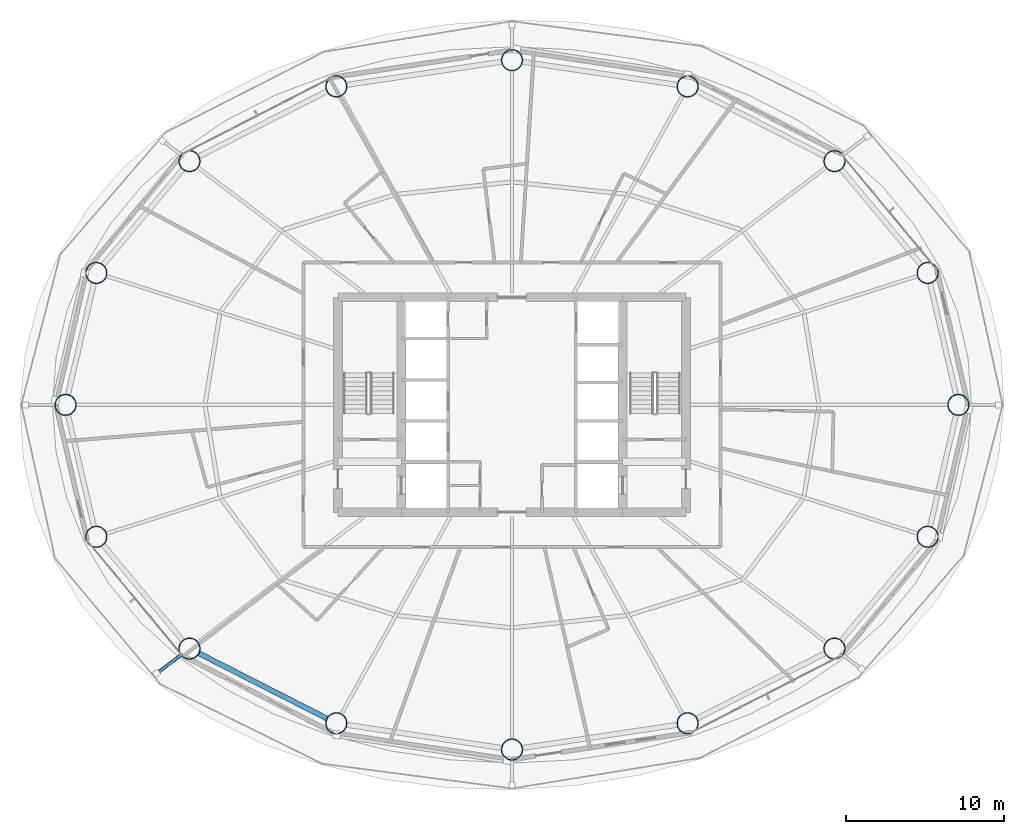
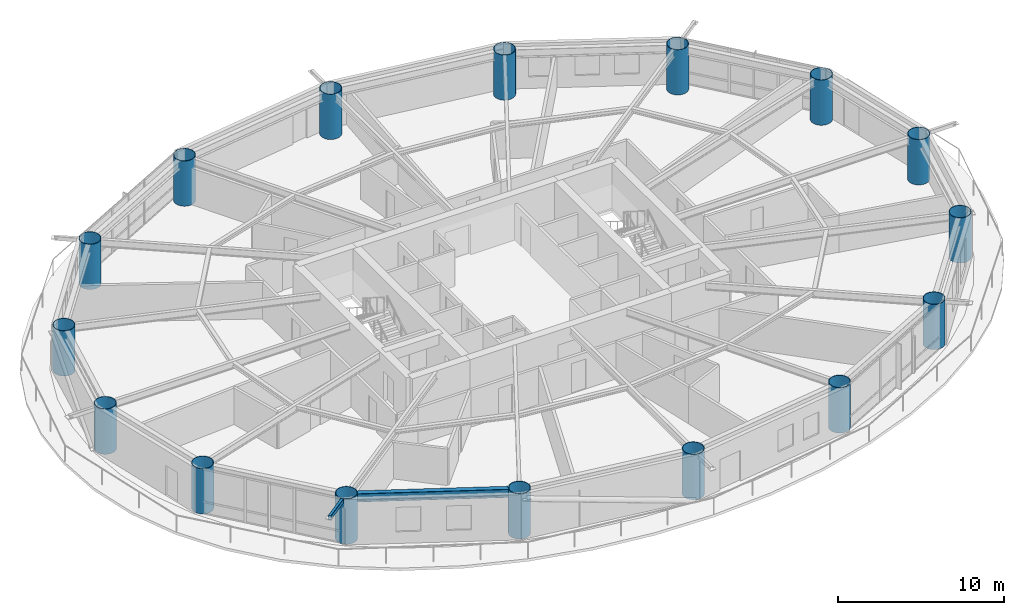
# One storey, part 1 of 24: 16 columns, 1 beam, 1 member.
"""IFC4 building model written with IfcOpenShell, lengths in metres."""

import ifcopenshell
import ifcopenshell.guid

model = None  # the IFC model being written
_history = None  # IfcOwnerHistory: only IFC2X3 demands one
_inside = {}  # id of a spatial element -> (the spatial element, [elements in it])
_under = {}  # id of a project, library or spatial element -> (it, [spatial elements below it])
_declared = {}  # id of a project -> (the project, [libraries it declares])
_typed = {}  # id of a type object -> (the type object, [elements of that type])
_made_of = {}  # id of a material, layer set ... -> (it, [elements and type objects made of it])


def new_model(schema):
    """Start an empty IFC model of exactly this schema.

    Asked for "IFC4X3", IfcOpenShell would pick the latest addendum, in which some entities
    have other attributes; the version numbers below select the first issue.
    IFC2X3 requires an IfcOwnerHistory on every rooted entity: one is made here for all.
    """
    global model, _history
    if schema == "IFC4X3":
        model = ifcopenshell.file(schema_version=(4, 3, 0, 0))
    else:
        model = ifcopenshell.file(schema=schema)
    _inside.clear()
    _under.clear()
    _declared.clear()
    _typed.clear()
    _made_of.clear()
    _history = None
    if model.schema == "IFC2X3":
        org = make("IfcOrganization", Name="unknown")
        user = make(
            "IfcPersonAndOrganization",
            ThePerson=make("IfcPerson", FamilyName="unknown"),
            TheOrganization=org,
        )
        app = make(
            "IfcApplication",
            ApplicationDeveloper=org,
            Version="unknown",
            ApplicationFullName="unknown",
            ApplicationIdentifier="unknown",
        )
        _history = make(
            "IfcOwnerHistory",
            OwningUser=user,
            OwningApplication=app,
            ChangeAction="ADDED",
            CreationDate=0,
        )
    return model


def make(cls, **values):
    """One entity of the class cls with the attributes given. An attribute that is None is left unset."""
    return model.create_entity(
        cls, **{name: value for name, value in values.items() if value is not None}
    )


def rooted(cls, **values):
    """An entity with a GlobalId (a new one), such as an element, a storey or a relation."""
    return make(cls, GlobalId=ifcopenshell.guid.new(), OwnerHistory=_history, **values)


def si_unit(unit_type, name, prefix=None):
    """IfcSIUnit, for example si_unit("LENGTHUNIT", "METRE", prefix="MILLI")."""
    return make("IfcSIUnit", UnitType=unit_type, Prefix=prefix, Name=name)


def assignment(units):
    """IfcUnitAssignment: the units of a project."""
    return None if units is None else make("IfcUnitAssignment", Units=units)


def point(xyz):
    """IfcCartesianPoint."""
    return None if xyz is None else make("IfcCartesianPoint", Coordinates=xyz)


def direction(xyz):
    """IfcDirection."""
    return None if xyz is None else make("IfcDirection", DirectionRatios=xyz)


def frame(location, z_axis=None, x_axis=None):
    """IfcAxis2Placement3D, a coordinate frame: its origin and axes. An axis left out is left unset."""
    return make(
        "IfcAxis2Placement3D",
        Location=point(location),
        Axis=direction(z_axis),
        RefDirection=direction(x_axis),
    )


def frame_2d(location, x_axis=None):
    """IfcAxis2Placement2D, a coordinate frame in the plane: its origin and x axis."""
    return make(
        "IfcAxis2Placement2D", Location=point(location), RefDirection=direction(x_axis)
    )


def origin():
    """The frame at (0, 0, 0) with its axes left unset."""
    return frame((0.0, 0.0, 0.0))


def origin_2d():
    """The frame at (0, 0) in the plane with its x axis left unset."""
    return frame_2d((0.0, 0.0))


def place(relative_to, where):
    """IfcLocalPlacement: puts the frame where relative to a parent placement (None: the world)."""
    return make(
        "IfcLocalPlacement", PlacementRelTo=relative_to, RelativePlacement=where
    )


def context(
    kind, dimensions, precision=None, world=None, true_north=None, identifier=None
):
    """IfcGeometricRepresentationContext, for example the 3D "Model" context."""
    return make(
        "IfcGeometricRepresentationContext",
        ContextIdentifier=identifier,
        ContextType=kind,
        CoordinateSpaceDimension=dimensions,
        Precision=precision,
        WorldCoordinateSystem=world,
        TrueNorth=true_north,
    )


def subcontext(parent, identifier, kind, view, scale=None):
    """IfcGeometricRepresentationSubContext, for example "Body" below "Model"."""
    return make(
        "IfcGeometricRepresentationSubContext",
        ContextIdentifier=identifier,
        ContextType=kind,
        ParentContext=parent,
        TargetScale=scale,
        TargetView=view,
    )


def project(units=None, contexts=None):
    """IfcProject with its units and contexts."""
    return rooted(
        "IfcProject",
        Name="project",
        RepresentationContexts=contexts,
        UnitsInContext=assignment(units),
    )


def spatial(cls, under=None, at=None, **own):
    """A site, building, storey or space (cls), placed at a placement, below another one or the project."""
    s = rooted(cls, ObjectPlacement=at, **own)
    if under is not None:
        _under.setdefault(under.id(), (under, []))[1].append(s)
    return s


def profile(cls, at=None, kind="AREA", **sizes):
    """A parametric profile (cls). Its sizes go by their IFC names, for example OverallWidth=200.0."""
    return make(cls, ProfileType=kind, Position=at, **sizes)


def hollow_rectangle(**sizes):
    """IfcRectangleHollowProfileDef."""
    return profile("IfcRectangleHollowProfileDef", **sizes)


def hollow_circle(**sizes):
    """IfcCircleHollowProfileDef."""
    return profile("IfcCircleHollowProfileDef", **sizes)


def i_section(**sizes):
    """IfcIShapeProfileDef."""
    return profile("IfcIShapeProfileDef", **sizes)


def extrude(swept, where, along, depth):
    """IfcExtrudedAreaSolid: the profile swept, set in the frame where, extruded along a direction by depth."""
    return make(
        "IfcExtrudedAreaSolid",
        SweptArea=swept,
        Position=where,
        ExtrudedDirection=direction(along),
        Depth=depth,
    )


def shape(context_of_items, identifier, shape_type, items):
    """IfcShapeRepresentation: the items that make up one representation, for example the "Body"."""
    return make(
        "IfcShapeRepresentation",
        ContextOfItems=context_of_items,
        RepresentationIdentifier=identifier,
        RepresentationType=shape_type,
        Items=items,
    )


def material(Name=None, Category=None):
    """IfcMaterial."""
    return make("IfcMaterial", Name=Name, Category=Category)


def material_profile(
    of_material, cross_section, Name=None, Category=None, Priority=None
):
    """IfcMaterialProfile: a cross section and its material."""
    return make(
        "IfcMaterialProfile",
        Name=Name,
        Material=of_material,
        Profile=cross_section,
        Priority=Priority,
        Category=Category,
    )


def profile_set(profiles, Name=None, composite=None):
    """IfcMaterialProfileSet."""
    return make(
        "IfcMaterialProfileSet",
        Name=Name,
        MaterialProfiles=profiles,
        CompositeProfile=composite,
    )


def made_of(thing, what):
    """Note that an element or type object is made of a material, layer set ...; save() writes the relation."""
    if what is not None:
        _made_of.setdefault(what.id(), (what, []))[1].append(thing)
    return thing


def type_object(cls, material=None, **own):
    """A type object (cls), such as IfcWallType, which elements share."""
    return made_of(rooted(cls, **own), material)


def element(
    cls,
    number,
    at=None,
    inside=None,
    cuts=None,
    type_object=None,
    material=None,
    context=None,
    identifier="Body",
    shape_type=None,
    held_by="IfcProductDefinitionShape",
    body=None,
    shapes=None,
    **own,
):
    """One element of the class cls, such as IfcWall. Its Tag is "e" and its number.

    at: its placement. inside: the storey or other place that contains it. cuts: it is an
    opening in that element (IfcRelVoidsElement). A single representation is given by context,
    identifier, shape_type and body (its items); several are given by shapes. held_by: the class
    of the entity that holds the representations. save() writes the other relations.
    """
    e = rooted(cls, Tag="e%d" % number, ObjectPlacement=at, **own)
    if body is not None:
        shapes = [shape(context, identifier, shape_type, body)]
    if shapes is not None:
        e.Representation = make(held_by, Representations=shapes)
    if inside is not None:
        _inside.setdefault(inside.id(), (inside, []))[1].append(e)
    if cuts is not None:
        rooted(
            "IfcRelVoidsElement", RelatingBuildingElement=cuts, RelatedOpeningElement=e
        )
    if type_object is not None:
        _typed.setdefault(type_object.id(), (type_object, []))[1].append(e)
    return made_of(e, material)


def aggregate(whole, parts):
    """IfcRelAggregates: a whole, such as a stair, and the parts it consists of."""
    return rooted("IfcRelAggregates", RelatingObject=whole, RelatedObjects=parts)


def save(model, path):
    """Write the relations noted so far, then the file.

    IfcRelAggregates (storeys below a building ...), IfcRelContainedInSpatialStructure (elements
    in a storey), IfcRelDefinesByType, IfcRelAssociatesMaterial and IfcRelDeclares: one each for
    every whole, place, type object, material and project.
    """
    for whole, parts in _under.values():
        aggregate(whole, parts)
    for where, things in _inside.values():
        rooted(
            "IfcRelContainedInSpatialStructure",
            RelatedElements=things,
            RelatingStructure=where,
        )
    for kind, things in _typed.values():
        rooted("IfcRelDefinesByType", RelatedObjects=things, RelatingType=kind)
    for what, things in _made_of.values():
        rooted("IfcRelAssociatesMaterial", RelatedObjects=things, RelatingMaterial=what)
    for by, libraries in _declared.values():
        rooted("IfcRelDeclares", RelatingContext=by, RelatedDefinitions=libraries)
    model.write(path)


model = new_model("IFC4")

# Units and contexts
model_context = context("Model", 3, precision=1e-05, world=origin(), true_north=direction((0.0, 1.0)))
body_context = subcontext(model_context, "Body", "Model", "MODEL_VIEW")
ifc_project = project(units=[si_unit("LENGTHUNIT", "METRE"), si_unit("AREAUNIT", "SQUARE_METRE"), si_unit("VOLUMEUNIT", "CUBIC_METRE"), si_unit("PLANEANGLEUNIT", "RADIAN"), si_unit("MASSUNIT", "GRAM", prefix="KILO")], contexts=[model_context])

# Site, building, storey
site_placement = place(None, origin())
site = spatial("IfcSite", under=ifc_project, at=site_placement, CompositionType="ELEMENT")
building_placement = place(site_placement, origin())
building = spatial("IfcBuilding", under=site, at=building_placement, Name="Sarneth Arch Tower", CompositionType="ELEMENT")
storey_placement = place(building_placement, frame((0.0, 0.0, 130.800048828125)))
storey = spatial("IfcBuildingStorey", under=building, at=storey_placement, Name="L33", CompositionType="ELEMENT", Elevation=130.800048828125)

# Columns
ifc_material_1 = material(Name="Steel S355", Category="steel")
ifc_material_profile_1 = material_profile(ifc_material_1, hollow_circle(Radius=0.675048828125, WallThickness=0.035888671875, at=origin_2d()), Name="CHS1350x36")
ifc_profile_set_1 = profile_set([ifc_material_profile_1], Name="Steel S355")
column_type = type_object("IfcColumnType", Name="COL-MEGA-1350", PredefinedType="COLUMN", material=ifc_profile_set_1)
for number, where, z_axis, x_axis, name in (
    (1, (76.236572265625, 42.0, 0.0), (0.0, 0.0, 1.0), (1.0, 0.0, 0.0), "L33 Perimeter mega-column M01"),
    (2, (74.291259765625, 50.342529296875, 0.0), (0.0, 0.0, 1.0), (1.0, 0.0, 0.0), "L33 Perimeter mega-column M02"),
    (3, (68.397705078125, 57.4150390625, 0.0), (0.0, 0.0, 1.0), (1.0, 0.0, 0.0), "L33 Perimeter mega-column M03"),
    (4, (59.1103515625, 62.140625, 0.0), (0.0, 0.0, 1.0), (1.0, 0.0, 0.0), "L33 Perimeter mega-column M04"),
    (5, (48.0, 63.800048828125, 0.0), (0.0, 0.0, 1.0), (1.0, 0.0, 0.0), "L33 Perimeter mega-column M05"),
    (6, (36.8896484375, 62.140625, 0.0), (0.0, 0.0, 1.0), (1.0, 0.0, 0.0), "L33 Perimeter mega-column M06"),
    (7, (27.602294921875, 57.4150390625, 0.0), (0.0, 0.0, 1.0), (1.0, 0.0, 0.0), "L33 Perimeter mega-column M07"),
    (8, (21.708740234375, 50.342529296875, 0.0), (0.0, 0.0, 1.0), (1.0, 0.0, 0.0), "L33 Perimeter mega-column M08"),
    (9, (19.763427734375, 42.0, 0.0), (0.0, 0.0, 1.0), (1.0, 0.0, 0.0), "L33 Perimeter mega-column M09"),
    (10, (21.708740234375, 33.657470703125, 0.0), (0.0, 0.0, 1.0), (1.0, 0.0, 0.0), "L33 Perimeter mega-column M10"),
    (11, (27.602294921875, 26.5849609375, 0.0), (0.0, 0.0, 1.0), (1.0, 0.0, 0.0), "L33 Perimeter mega-column M11"),
    (12, (36.8896484375, 21.859375, 0.0), (0.0, 0.0, 1.0), (1.0, 0.0, 0.0), "L33 Perimeter mega-column M12"),
    (13, (48.0, 20.199951171875, 0.0), (0.0, 0.0, 1.0), (1.0, 0.0, 0.0), "L33 Perimeter mega-column M13"),
    (14, (59.1103515625, 21.859375, 0.0), (0.0, 0.0, 1.0), (1.0, 0.0, 0.0), "L33 Perimeter mega-column M14"),
    (15, (68.397705078125, 26.5849609375, 0.0), (0.0, 0.0, 1.0), (1.0, 0.0, 0.0), "L33 Perimeter mega-column M15"),
    (16, (74.291259765625, 33.657470703125, 0.0), (0.0, 0.0, 1.0), (1.0, 0.0, 0.0), "L33 Perimeter mega-column M16"),
):
    element("IfcColumn", number, at=place(storey_placement, frame(where, z_axis=z_axis, x_axis=x_axis)), inside=storey, type_object=column_type, Name=name, PredefinedType="COLUMN", context=body_context, shape_type="SweptSolid", body=[
        extrude(hollow_circle(Radius=0.675048828125, WallThickness=0.035888671875, at=origin_2d()), origin(), (0.0, 0.0, 1.0), 3.320068359375),
    ])

# Beam
ifc_material_2 = material(Name="Steel S355", Category="steel")
ifc_material_profile_2 = material_profile(ifc_material_2, i_section(OverallWidth=0.323974609375, OverallDepth=0.611083984375, WebThickness=0.0126953125, FlangeThickness=0.01904296875, FilletRadius=0.01904296875, at=origin_2d()), Name="W610x155")
ifc_profile_set_2 = profile_set([ifc_material_profile_2], Name="Steel S355")
beam_type = type_object("IfcBeamType", Name="BM-SPAN-610B", PredefinedType="SPANDREL", material=ifc_profile_set_2)
beam_placement = place(storey_placement, frame((28.203857421875, 26.279052734375, 3.014404296875), z_axis=(0.891255891792, -0.453500755619, 0.0), x_axis=(0.453500755619, 0.891255891792, 0.0)))
element("IfcBeam", 17, at=beam_placement, inside=storey, type_object=beam_type, Name="L33 Perimeter spandrel beam 11", PredefinedType="SPANDREL", context=body_context, shape_type="SweptSolid", body=[
    extrude(i_section(OverallWidth=0.323974609375, OverallDepth=0.611083984375, WebThickness=0.0126953125, FlangeThickness=0.01904296875, FilletRadius=0.01904296875, at=origin_2d()), origin(), (0.0, 0.0, 1.0), 9.070556640625),
])

# Member
ifc_material_3 = material(Name="Steel S355", Category="steel")
ifc_material_profile_3 = material_profile(ifc_material_3, hollow_rectangle(XDim=0.199951171875, YDim=0.300048828125, WallThickness=0.012451171875, InnerFilletRadius=0.018798828125, OuterFilletRadius=0.03125, at=origin_2d()), Name="RHS300x200x12.5")
ifc_profile_set_3 = profile_set([ifc_material_profile_3], Name="Steel S355")
member_type = type_object("IfcMemberType", Name="MEM-CANT-STRUT", PredefinedType="STRUT", material=ifc_profile_set_3)
member_placement = place(storey_placement, frame((27.063720703125, 26.177978515625, 3.159912109375), z_axis=(-0.797797124483, -0.602925988963, 0.0), x_axis=(0.602925988963, -0.797797124483, 0.0)))
element("IfcMember", 18, at=member_placement, inside=storey, type_object=member_type, Name="L33 Balcony cantilever bracket 11", PredefinedType="STRUT", context=body_context, shape_type="SweptSolid", body=[
    extrude(hollow_rectangle(XDim=0.199951171875, YDim=0.300048828125, WallThickness=0.012451171875, InnerFilletRadius=0.018798828125, OuterFilletRadius=0.03125, at=origin_2d()), origin(), (0.0, 0.0, 1.0), 1.93310546875),
])

save(model, "model.ifc")
